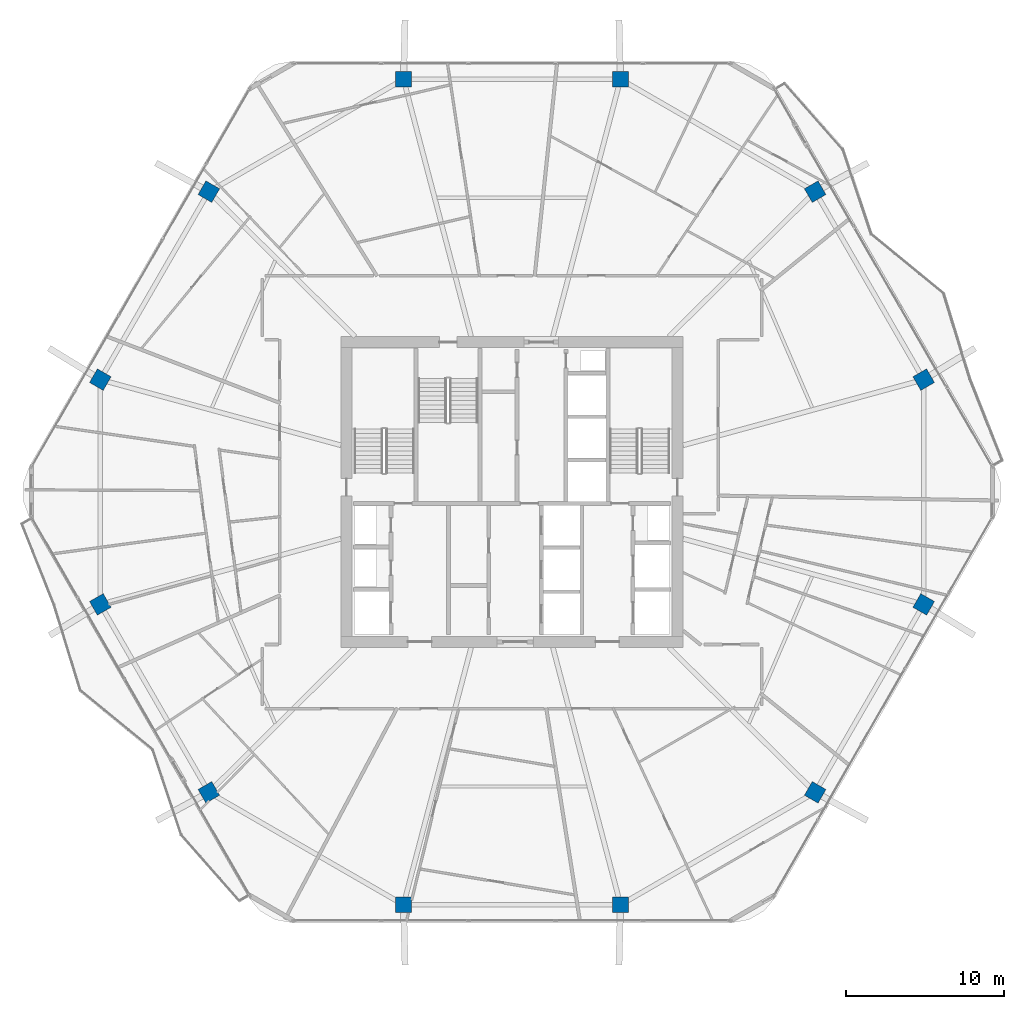
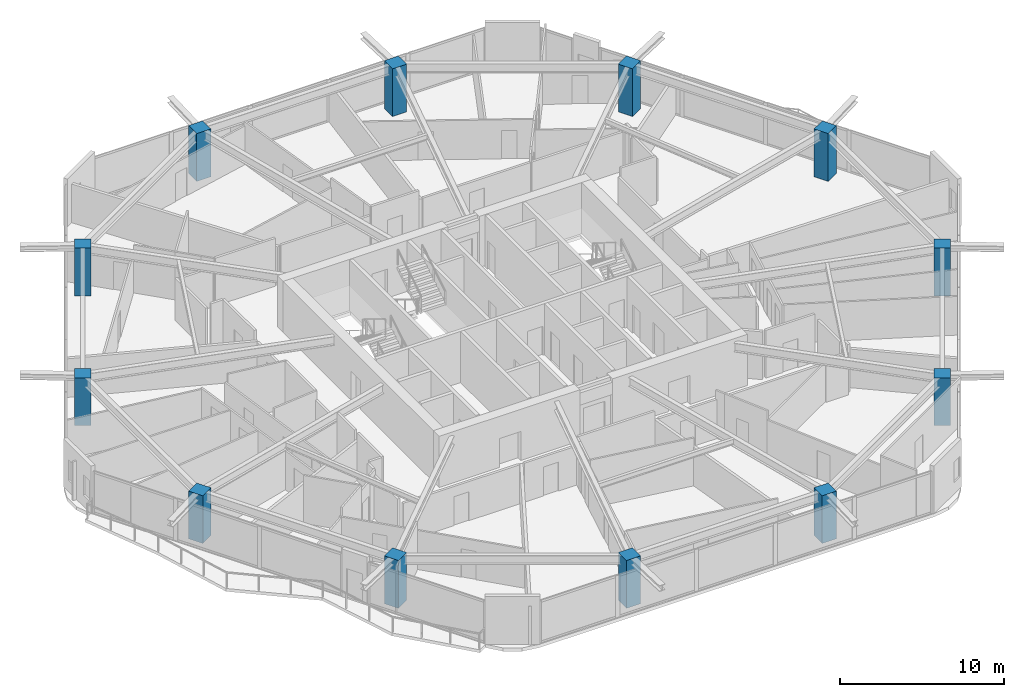
# One storey, part 1 of 25: 12 columns.
"""IFC4 building model written with IfcOpenShell, lengths in metres."""

from ifc_helpers import new_model, si_unit, direction, frame, origin, origin_2d, place, context, subcontext, project, spatial, rectangle, extrude, material, material_profile, profile_set, type_object, element, save


model = new_model("IFC4")

# Units and contexts
model_context = context("Model", 3, precision=1e-05, world=origin(), true_north=direction((0.0, 1.0)))
body_context = subcontext(model_context, "Body", "Model", "MODEL_VIEW")
ifc_project = project(units=[si_unit("LENGTHUNIT", "METRE"), si_unit("AREAUNIT", "SQUARE_METRE"), si_unit("VOLUMEUNIT", "CUBIC_METRE"), si_unit("PLANEANGLEUNIT", "RADIAN"), si_unit("MASSUNIT", "GRAM", prefix="KILO")], contexts=[model_context])

# Site, building, storey
site_placement = place(None, origin())
site = spatial("IfcSite", under=ifc_project, at=site_placement, CompositionType="ELEMENT")
building_placement = place(site_placement, origin())
building = spatial("IfcBuilding", under=site, at=building_placement, Name="Zuhravey Tower", CompositionType="ELEMENT")
storey_placement = place(building_placement, frame((0.0, 0.0, 180.800048828125)))
storey = spatial("IfcBuildingStorey", under=building, at=storey_placement, Name="L45", CompositionType="ELEMENT", Elevation=180.800048828125)

# Columns
ifc_material = material(Name="Concrete C60/75", Category="concrete")
ifc_material_profile = material_profile(ifc_material, rectangle(XDim=1.0, YDim=1.0, at=origin_2d()), Name="RC-1000x1000")
ifc_profile_set = profile_set([ifc_material_profile], Name="Concrete C60/75")
column_type = type_object("IfcColumnType", Name="Zone 2 Perimeter Column 1000x1000", PredefinedType="COLUMN", material=ifc_profile_set)
for number, where, z_axis, x_axis, name in (
    (1, (62.107666015625, 39.12646484375, 0.0), (0.0, 0.0, 1.0), (-0.5, 0.866025403784, 0.0), "L45 Perimeter Column PC01"),
    (2, (55.2255859375, 51.046630859375, 0.0), (0.0, 0.0, 1.0), (-0.5, 0.866025403784, 0.0), "L45 Perimeter Column PC02"),
    (3, (42.882080078125, 58.173095703125, 0.0), (0.0, 0.0, 1.0), (-1.0, 0.0, 0.0), "L45 Perimeter Column PC03"),
    (4, (29.117919921875, 58.173095703125, 0.0), (0.0, 0.0, 1.0), (-1.0, 0.0, 0.0), "L45 Perimeter Column PC04"),
    (5, (16.7744140625, 51.046630859375, 0.0), (0.0, 0.0, 1.0), (-0.5, -0.866025403784, 0.0), "L45 Perimeter Column PC05"),
    (6, (9.892333984375, 39.12646484375, 0.0), (0.0, 0.0, 1.0), (-0.5, -0.866025403784, 0.0), "L45 Perimeter Column PC06"),
    (7, (9.892333984375, 24.87353515625, 0.0), (0.0, 0.0, 1.0), (0.5, -0.866025403784, 0.0), "L45 Perimeter Column PC07"),
    (8, (16.7744140625, 12.953369140625, 0.0), (0.0, 0.0, 1.0), (0.5, -0.866025403784, 0.0), "L45 Perimeter Column PC08"),
    (9, (29.117919921875, 5.826904296875, 0.0), (0.0, 0.0, 1.0), (1.0, 0.0, 0.0), "L45 Perimeter Column PC09"),
    (10, (42.882080078125, 5.826904296875, 0.0), (0.0, 0.0, 1.0), (1.0, 0.0, 0.0), "L45 Perimeter Column PC10"),
    (11, (55.2255859375, 12.953369140625, 0.0), (0.0, 0.0, 1.0), (0.5, 0.866025403784, 0.0), "L45 Perimeter Column PC11"),
    (12, (62.107666015625, 24.87353515625, 0.0), (0.0, 0.0, 1.0), (0.5, 0.866025403784, 0.0), "L45 Perimeter Column PC12"),
):
    element("IfcColumn", number, at=place(storey_placement, frame(where, z_axis=z_axis, x_axis=x_axis)), inside=storey, type_object=column_type, Name=name, PredefinedType="COLUMN", context=body_context, shape_type="SweptSolid", body=[
        extrude(rectangle(XDim=1.0, YDim=1.0, at=origin_2d()), origin(), (0.0, 0.0, 1.0), 3.550048828125),
    ])

save(model, "model.ifc")
